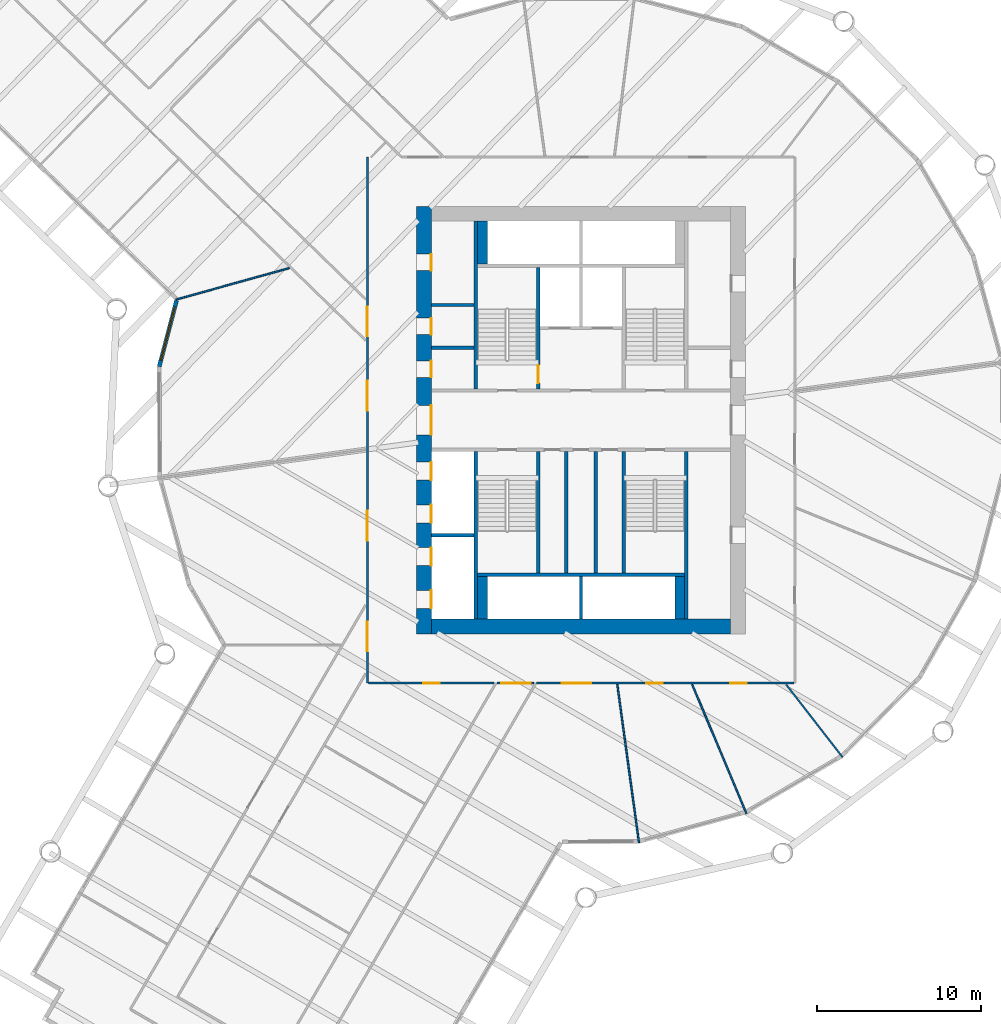
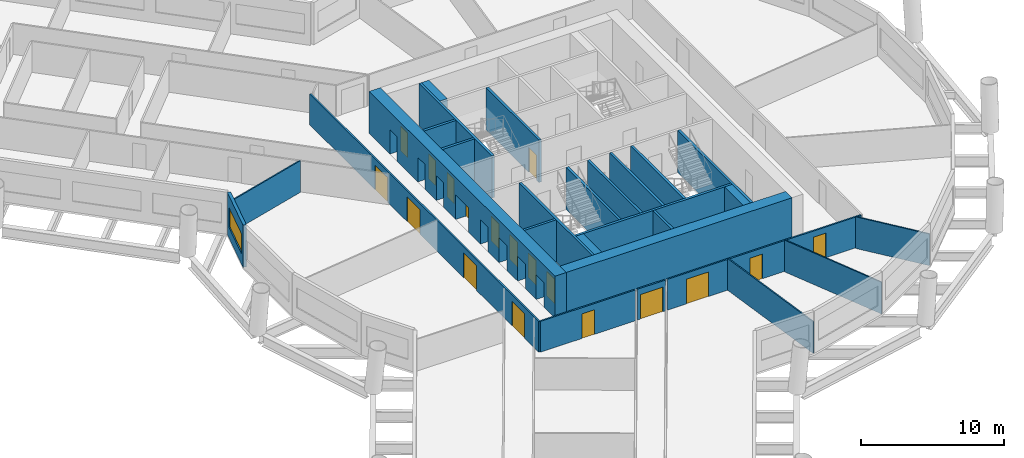
# One storey, part 4 of 12: 27 walls, 18 doors, 1 window, 19 openings.
"""IFC4 building model written with IfcOpenShell, lengths in metres."""

import ifcopenshell
import ifcopenshell.guid

model = None  # the IFC model being written
_history = None  # IfcOwnerHistory: only IFC2X3 demands one
_inside = {}  # id of a spatial element -> (the spatial element, [elements in it])
_under = {}  # id of a project, library or spatial element -> (it, [spatial elements below it])
_declared = {}  # id of a project -> (the project, [libraries it declares])
_typed = {}  # id of a type object -> (the type object, [elements of that type])
_made_of = {}  # id of a material, layer set ... -> (it, [elements and type objects made of it])


def new_model(schema):
    """Start an empty IFC model of exactly this schema.

    Asked for "IFC4X3", IfcOpenShell would pick the latest addendum, in which some entities
    have other attributes; the version numbers below select the first issue.
    IFC2X3 requires an IfcOwnerHistory on every rooted entity: one is made here for all.
    """
    global model, _history
    if schema == "IFC4X3":
        model = ifcopenshell.file(schema_version=(4, 3, 0, 0))
    else:
        model = ifcopenshell.file(schema=schema)
    _inside.clear()
    _under.clear()
    _declared.clear()
    _typed.clear()
    _made_of.clear()
    _history = None
    if model.schema == "IFC2X3":
        org = make("IfcOrganization", Name="unknown")
        user = make(
            "IfcPersonAndOrganization",
            ThePerson=make("IfcPerson", FamilyName="unknown"),
            TheOrganization=org,
        )
        app = make(
            "IfcApplication",
            ApplicationDeveloper=org,
            Version="unknown",
            ApplicationFullName="unknown",
            ApplicationIdentifier="unknown",
        )
        _history = make(
            "IfcOwnerHistory",
            OwningUser=user,
            OwningApplication=app,
            ChangeAction="ADDED",
            CreationDate=0,
        )
    return model


def make(cls, **values):
    """One entity of the class cls with the attributes given. An attribute that is None is left unset."""
    return model.create_entity(
        cls, **{name: value for name, value in values.items() if value is not None}
    )


def rooted(cls, **values):
    """An entity with a GlobalId (a new one), such as an element, a storey or a relation."""
    return make(cls, GlobalId=ifcopenshell.guid.new(), OwnerHistory=_history, **values)


def si_unit(unit_type, name, prefix=None):
    """IfcSIUnit, for example si_unit("LENGTHUNIT", "METRE", prefix="MILLI")."""
    return make("IfcSIUnit", UnitType=unit_type, Prefix=prefix, Name=name)


def assignment(units):
    """IfcUnitAssignment: the units of a project."""
    return None if units is None else make("IfcUnitAssignment", Units=units)


def point(xyz):
    """IfcCartesianPoint."""
    return None if xyz is None else make("IfcCartesianPoint", Coordinates=xyz)


def direction(xyz):
    """IfcDirection."""
    return None if xyz is None else make("IfcDirection", DirectionRatios=xyz)


def frame(location, z_axis=None, x_axis=None):
    """IfcAxis2Placement3D, a coordinate frame: its origin and axes. An axis left out is left unset."""
    return make(
        "IfcAxis2Placement3D",
        Location=point(location),
        Axis=direction(z_axis),
        RefDirection=direction(x_axis),
    )


def frame_2d(location, x_axis=None):
    """IfcAxis2Placement2D, a coordinate frame in the plane: its origin and x axis."""
    return make(
        "IfcAxis2Placement2D", Location=point(location), RefDirection=direction(x_axis)
    )


def origin():
    """The frame at (0, 0, 0) with its axes left unset."""
    return frame((0.0, 0.0, 0.0))


def place(relative_to, where):
    """IfcLocalPlacement: puts the frame where relative to a parent placement (None: the world)."""
    return make(
        "IfcLocalPlacement", PlacementRelTo=relative_to, RelativePlacement=where
    )


def context(
    kind, dimensions, precision=None, world=None, true_north=None, identifier=None
):
    """IfcGeometricRepresentationContext, for example the 3D "Model" context."""
    return make(
        "IfcGeometricRepresentationContext",
        ContextIdentifier=identifier,
        ContextType=kind,
        CoordinateSpaceDimension=dimensions,
        Precision=precision,
        WorldCoordinateSystem=world,
        TrueNorth=true_north,
    )


def subcontext(parent, identifier, kind, view, scale=None):
    """IfcGeometricRepresentationSubContext, for example "Body" below "Model"."""
    return make(
        "IfcGeometricRepresentationSubContext",
        ContextIdentifier=identifier,
        ContextType=kind,
        ParentContext=parent,
        TargetScale=scale,
        TargetView=view,
    )


def project(units=None, contexts=None):
    """IfcProject with its units and contexts."""
    return rooted(
        "IfcProject",
        Name="project",
        RepresentationContexts=contexts,
        UnitsInContext=assignment(units),
    )


def spatial(cls, under=None, at=None, **own):
    """A site, building, storey or space (cls), placed at a placement, below another one or the project."""
    s = rooted(cls, ObjectPlacement=at, **own)
    if under is not None:
        _under.setdefault(under.id(), (under, []))[1].append(s)
    return s


def profile(cls, at=None, kind="AREA", **sizes):
    """A parametric profile (cls). Its sizes go by their IFC names, for example OverallWidth=200.0."""
    return make(cls, ProfileType=kind, Position=at, **sizes)


def rectangle(**sizes):
    """IfcRectangleProfileDef."""
    return profile("IfcRectangleProfileDef", **sizes)


def extrude(swept, where, along, depth):
    """IfcExtrudedAreaSolid: the profile swept, set in the frame where, extruded along a direction by depth."""
    return make(
        "IfcExtrudedAreaSolid",
        SweptArea=swept,
        Position=where,
        ExtrudedDirection=direction(along),
        Depth=depth,
    )


def shape(context_of_items, identifier, shape_type, items):
    """IfcShapeRepresentation: the items that make up one representation, for example the "Body"."""
    return make(
        "IfcShapeRepresentation",
        ContextOfItems=context_of_items,
        RepresentationIdentifier=identifier,
        RepresentationType=shape_type,
        Items=items,
    )


def material(Name=None, Category=None):
    """IfcMaterial."""
    return make("IfcMaterial", Name=Name, Category=Category)


def layer(
    of_material, thickness, ventilated=None, Name=None, Category=None, Priority=None
):
    """IfcMaterialLayer: one layer of a wall or slab, of a material (None: an air gap)."""
    return make(
        "IfcMaterialLayer",
        Material=of_material,
        LayerThickness=thickness,
        IsVentilated=ventilated,
        Name=Name,
        Category=Category,
        Priority=Priority,
    )


def layer_set(layers, Name=None):
    """IfcMaterialLayerSet."""
    return make("IfcMaterialLayerSet", MaterialLayers=layers, LayerSetName=Name)


def made_of(thing, what):
    """Note that an element or type object is made of a material, layer set ...; save() writes the relation."""
    if what is not None:
        _made_of.setdefault(what.id(), (what, []))[1].append(thing)
    return thing


def type_object(cls, material=None, **own):
    """A type object (cls), such as IfcWallType, which elements share."""
    return made_of(rooted(cls, **own), material)


def element(
    cls,
    number,
    at=None,
    inside=None,
    cuts=None,
    type_object=None,
    material=None,
    context=None,
    identifier="Body",
    shape_type=None,
    held_by="IfcProductDefinitionShape",
    body=None,
    shapes=None,
    **own,
):
    """One element of the class cls, such as IfcWall. Its Tag is "e" and its number.

    at: its placement. inside: the storey or other place that contains it. cuts: it is an
    opening in that element (IfcRelVoidsElement). A single representation is given by context,
    identifier, shape_type and body (its items); several are given by shapes. held_by: the class
    of the entity that holds the representations. save() writes the other relations.
    """
    e = rooted(cls, Tag="e%d" % number, ObjectPlacement=at, **own)
    if body is not None:
        shapes = [shape(context, identifier, shape_type, body)]
    if shapes is not None:
        e.Representation = make(held_by, Representations=shapes)
    if inside is not None:
        _inside.setdefault(inside.id(), (inside, []))[1].append(e)
    if cuts is not None:
        rooted(
            "IfcRelVoidsElement", RelatingBuildingElement=cuts, RelatedOpeningElement=e
        )
    if type_object is not None:
        _typed.setdefault(type_object.id(), (type_object, []))[1].append(e)
    return made_of(e, material)


def fill(opening, filler):
    """IfcRelFillsElement: the door or window that sits in an opening."""
    return rooted(
        "IfcRelFillsElement",
        RelatingOpeningElement=opening,
        RelatedBuildingElement=filler,
    )


def aggregate(whole, parts):
    """IfcRelAggregates: a whole, such as a stair, and the parts it consists of."""
    return rooted("IfcRelAggregates", RelatingObject=whole, RelatedObjects=parts)


def save(model, path):
    """Write the relations noted so far, then the file.

    IfcRelAggregates (storeys below a building ...), IfcRelContainedInSpatialStructure (elements
    in a storey), IfcRelDefinesByType, IfcRelAssociatesMaterial and IfcRelDeclares: one each for
    every whole, place, type object, material and project.
    """
    for whole, parts in _under.values():
        aggregate(whole, parts)
    for where, things in _inside.values():
        rooted(
            "IfcRelContainedInSpatialStructure",
            RelatedElements=things,
            RelatingStructure=where,
        )
    for kind, things in _typed.values():
        rooted("IfcRelDefinesByType", RelatedObjects=things, RelatingType=kind)
    for what, things in _made_of.values():
        rooted("IfcRelAssociatesMaterial", RelatedObjects=things, RelatingMaterial=what)
    for by, libraries in _declared.values():
        rooted("IfcRelDeclares", RelatingContext=by, RelatedDefinitions=libraries)
    model.write(path)


model = new_model("IFC4")

# Units and contexts
model_context = context("Model", 3, precision=1e-05, world=origin(), true_north=direction((0.0, 1.0)))
body_context = subcontext(model_context, "Body", "Model", "MODEL_VIEW")
ifc_project = project(units=[si_unit("LENGTHUNIT", "METRE"), si_unit("AREAUNIT", "SQUARE_METRE"), si_unit("VOLUMEUNIT", "CUBIC_METRE"), si_unit("PLANEANGLEUNIT", "RADIAN"), si_unit("MASSUNIT", "GRAM", prefix="KILO")], contexts=[model_context])

# Site, building, storey
site_placement = place(None, origin())
site = spatial("IfcSite", under=ifc_project, at=site_placement, CompositionType="ELEMENT")
building_placement = place(site_placement, origin())
building = spatial("IfcBuilding", under=site, at=building_placement, Name="Tarsis Ring Headquarters", CompositionType="ELEMENT")
storey_placement = place(building_placement, frame((0.0, 0.0, 82.89990234375)))
storey = spatial("IfcBuildingStorey", under=building, at=storey_placement, Name="L18", CompositionType="ELEMENT", Elevation=82.89990234375)

# Walls
ifc_material_1 = material(Name="Blockwork", Category="masonry")
ifc_layer_1 = layer(ifc_material_1, 0.199951171875)
ifc_layer_set_1 = layer_set([ifc_layer_1], Name="Core blockwork wall 200")
wall_type_1 = type_object("IfcWallType", Name="Core blockwork wall 200", PredefinedType="PARTITIONING", material=ifc_layer_set_1)
for number, where, z_axis, x_axis, name in (
    (1, (-9.10009765625, 4.39990234375, 0.0), (0.0, 0.0, 1.0), (1.0, 0.0, 0.0), "Core partition WD5"),
    (2, (-9.10009765625, 7.0, 0.0), (0.0, 0.0, 1.0), (1.0, 0.0, 0.0), "Core partition WD6"),
):
    element("IfcWall", number, at=place(storey_placement, frame(where, z_axis=z_axis, x_axis=x_axis)), inside=storey, type_object=wall_type_1, Name=name, PredefinedType="PARTITIONING", context=body_context, shape_type="SweptSolid", body=[
        extrude(rectangle(XDim=2.60009765625, YDim=0.199951171875, at=frame_2d((1.300048828125, 0.0))), origin(), (0.0, 0.0, 1.0), 3.60009765625),
    ])
for number, where, z_axis, x_axis, name in (
    (3, (-0.89990234375, -9.300048828125, 0.0), (0.0, 0.0, 1.0), (0.0, 1.0, 0.0), "Core partition SV1"),
    (4, (0.89990234375, -9.300048828125, 0.0), (0.0, 0.0, 1.0), (0.0, 1.0, 0.0), "Core partition SV2"),
):
    element("IfcWall", number, at=place(storey_placement, frame(where, z_axis=z_axis, x_axis=x_axis)), inside=storey, type_object=wall_type_1, Name=name, PredefinedType="PARTITIONING", context=body_context, shape_type="SweptSolid", body=[
        extrude(rectangle(XDim=7.400146484375, YDim=0.199951171875, at=frame_2d((3.7001953125, 0.0))), origin(), (0.0, 0.0, 1.0), 3.60009765625),
    ])

# Wall, openings, doors
ifc_material_2 = material(Name="Concrete C60/75", Category="concrete")
ifc_layer_2 = layer(ifc_material_2, 0.89990234375)
ifc_layer_set_2 = layer_set([ifc_layer_2], Name="Core wall 900 C60/75")
wall_type_2 = type_object("IfcWallType", Name="Core wall 900 C60/75", PredefinedType="SHEAR", material=ifc_layer_set_2)
wall_1_placement = place(storey_placement, frame((-9.550048828125, -13.0, 0.0), z_axis=(0.0, 0.0, 1.0), x_axis=(0.0, 1.0, 0.0)))
wall_1 = element("IfcWall", 5, at=wall_1_placement, inside=storey, type_object=wall_type_2, Name="Core wall OW", PredefinedType="SHEAR", context=body_context, shape_type="SweptSolid", body=[
    extrude(rectangle(XDim=26.0, YDim=0.89990234375, at=frame_2d((13.0, 0.0))), origin(), (0.0, 0.0, 1.0), 3.60009765625),
])
opening_1_placement = place(wall_1_placement, frame((1.550048828125, 0.0, 0.0)))
opening_1 = element("IfcOpeningElement", 6, at=opening_1_placement, cuts=wall_1, Name="Opening LD-LR1", PredefinedType="OPENING", context=body_context, shape_type="SweptSolid", body=[
    extrude(rectangle(XDim=1.10009765625, YDim=2.10009765625, at=frame_2d((0.550048828125, 1.050048828125))), frame((0.0, 0.4599609375, 0.0), z_axis=(0.0, -1.0, 0.0), x_axis=(1.0, 0.0, 0.0)), (0.0, 0.0, 1.0), 0.919921875),
])
opening_2_placement = place(wall_1_placement, frame((4.14990234375, 0.0, 0.0)))
opening_2 = element("IfcOpeningElement", 7, at=opening_2_placement, cuts=wall_1, Name="Opening LD-LR2", PredefinedType="OPENING", context=body_context, shape_type="SweptSolid", body=[
    extrude(rectangle(XDim=1.10009765625, YDim=2.10009765625, at=frame_2d((0.550048828125, 1.050048828125))), frame((0.0, 0.4599609375, 0.0), z_axis=(0.0, -1.0, 0.0), x_axis=(1.0, 0.0, 0.0)), (0.0, 0.0, 1.0), 0.919921875),
])
opening_3_placement = place(wall_1_placement, frame((6.75, 0.0, 0.0)))
opening_3 = element("IfcOpeningElement", 8, at=opening_3_placement, cuts=wall_1, Name="Opening LD-LR3", PredefinedType="OPENING", context=body_context, shape_type="SweptSolid", body=[
    extrude(rectangle(XDim=1.10009765625, YDim=2.10009765625, at=frame_2d((0.550048828125, 1.050048828125))), frame((0.0, 0.4599609375, 0.0), z_axis=(0.0, -1.0, 0.0), x_axis=(1.0, 0.0, 0.0)), (0.0, 0.0, 1.0), 0.919921875),
])
opening_4_placement = place(wall_1_placement, frame((9.35009765625, 0.0, 0.0)))
opening_4 = element("IfcOpeningElement", 9, at=opening_4_placement, cuts=wall_1, Name="Opening LD-LR4", PredefinedType="OPENING", context=body_context, shape_type="SweptSolid", body=[
    extrude(rectangle(XDim=1.10009765625, YDim=2.10009765625, at=frame_2d((0.550048828125, 1.050048828125))), frame((0.0, 0.4599609375, 0.0), z_axis=(0.0, -1.0, 0.0), x_axis=(1.0, 0.0, 0.0)), (0.0, 0.0, 1.0), 0.919921875),
])
opening_5_placement = place(wall_1_placement, frame((12.10009765625, 0.0, 0.0)))
opening_5 = element("IfcOpeningElement", 10, at=opening_5_placement, cuts=wall_1, Name="Opening L18-C05", PredefinedType="OPENING", context=body_context, shape_type="SweptSolid", body=[
    extrude(rectangle(XDim=1.800048828125, YDim=2.10009765625, at=frame_2d((0.89990234375, 1.050048828125))), frame((0.0, 0.4599609375, 0.0), z_axis=(0.0, -1.0, 0.0), x_axis=(1.0, 0.0, 0.0)), (0.0, 0.0, 1.0), 0.919921875),
])
opening_6_placement = place(wall_1_placement, frame((15.60009765625, 0.0, 0.0)))
opening_6 = element("IfcOpeningElement", 11, at=opening_6_placement, cuts=wall_1, Name="Opening L18-C06", PredefinedType="OPENING", context=body_context, shape_type="SweptSolid", body=[
    extrude(rectangle(XDim=1.0, YDim=2.10009765625, at=frame_2d((0.5, 1.050048828125))), frame((0.0, 0.4599609375, 0.0), z_axis=(0.0, -1.0, 0.0), x_axis=(1.0, 0.0, 0.0)), (0.0, 0.0, 1.0), 0.919921875),
])
opening_7_placement = place(wall_1_placement, frame((18.199951171875, 0.0, 0.0)))
opening_7 = element("IfcOpeningElement", 12, at=opening_7_placement, cuts=wall_1, Name="Opening L18-C07", PredefinedType="OPENING", context=body_context, shape_type="SweptSolid", body=[
    extrude(rectangle(XDim=1.0, YDim=2.10009765625, at=frame_2d((0.5, 1.050048828125))), frame((0.0, 0.4599609375, 0.0), z_axis=(0.0, -1.0, 0.0), x_axis=(1.0, 0.0, 0.0)), (0.0, 0.0, 1.0), 0.919921875),
])
opening_8_placement = place(wall_1_placement, frame((22.10009765625, 0.0, 0.0)))
opening_8 = element("IfcOpeningElement", 13, at=opening_8_placement, cuts=wall_1, Name="Opening L18-C08", PredefinedType="OPENING", context=body_context, shape_type="SweptSolid", body=[
    extrude(rectangle(XDim=1.0, YDim=2.10009765625, at=frame_2d((0.5, 1.050048828125))), frame((0.0, 0.4599609375, 0.0), z_axis=(0.0, -1.0, 0.0), x_axis=(1.0, 0.0, 0.0)), (0.0, 0.0, 1.0), 0.919921875),
])
ifc_material_3 = material(Name="Steel S355", Category="steel")
door_type_1 = type_object("IfcDoorType", Name="Core entry door 1800x2100", OperationType="DOUBLE_DOOR_SINGLE_SWING", PredefinedType="DOOR", material=ifc_material_3)
door_1_placement = place(opening_5_placement, origin())
door_1 = element("IfcDoor", 14, at=door_1_placement, inside=storey, type_object=door_type_1, Name="Core entry door L18", OperationType="DOUBLE_DOOR_SINGLE_SWING", OverallHeight=2.10009765625, OverallWidth=1.800048828125, PredefinedType="DOOR", context=body_context, shape_type="SweptSolid", body=[
    extrude(rectangle(XDim=1.800048828125, YDim=2.10009765625, at=frame_2d((0.89990234375, 1.050048828125))), frame((0.0, -0.39990234375, 0.0), z_axis=(0.0, -1.0, 0.0), x_axis=(1.0, 0.0, 0.0)), (0.0, 0.0, 1.0), 0.050048828125),
])
fill(opening_5, door_1)
door_type_2 = type_object("IfcDoorType", Name="Core room door 1000x2100", OperationType="SINGLE_SWING_LEFT", PredefinedType="DOOR", material=ifc_material_3)
door_2_placement = place(opening_6_placement, origin())
door_2 = element("IfcDoor", 15, at=door_2_placement, inside=storey, type_object=door_type_2, Name="Core room door L18", OperationType="SINGLE_SWING_LEFT", OverallHeight=2.10009765625, OverallWidth=1.0, PredefinedType="DOOR", context=body_context, shape_type="SweptSolid", body=[
    extrude(rectangle(XDim=1.0, YDim=2.10009765625, at=frame_2d((0.5, 1.050048828125))), frame((0.0, -0.39990234375, 0.0), z_axis=(0.0, -1.0, 0.0), x_axis=(1.0, 0.0, 0.0)), (0.0, 0.0, 1.0), 0.050048828125),
])
fill(opening_6, door_2)
door_3_placement = place(opening_7_placement, origin())
door_3 = element("IfcDoor", 16, at=door_3_placement, inside=storey, type_object=door_type_2, Name="Core room door L18", OperationType="SINGLE_SWING_LEFT", OverallHeight=2.10009765625, OverallWidth=1.0, PredefinedType="DOOR", context=body_context, shape_type="SweptSolid", body=[
    extrude(rectangle(XDim=1.0, YDim=2.10009765625, at=frame_2d((0.5, 1.050048828125))), frame((0.0, -0.39990234375, 0.0), z_axis=(0.0, -1.0, 0.0), x_axis=(1.0, 0.0, 0.0)), (0.0, 0.0, 1.0), 0.050048828125),
])
fill(opening_7, door_3)
door_4_placement = place(opening_8_placement, origin())
door_4 = element("IfcDoor", 17, at=door_4_placement, inside=storey, type_object=door_type_2, Name="Core room door L18", OperationType="SINGLE_SWING_LEFT", OverallHeight=2.10009765625, OverallWidth=1.0, PredefinedType="DOOR", context=body_context, shape_type="SweptSolid", body=[
    extrude(rectangle(XDim=1.0, YDim=2.10009765625, at=frame_2d((0.5, 1.050048828125))), frame((0.0, -0.39990234375, 0.0), z_axis=(0.0, -1.0, 0.0), x_axis=(1.0, 0.0, 0.0)), (0.0, 0.0, 1.0), 0.050048828125),
])
fill(opening_8, door_4)
door_type_3 = type_object("IfcDoorType", Name="Landing door 1100x2100", OperationType="SLIDING_TO_LEFT", PredefinedType="DOOR", material=ifc_material_3)
door_5_placement = place(opening_1_placement, origin())
door_5 = element("IfcDoor", 18, at=door_5_placement, inside=storey, type_object=door_type_3, Name="Landing door LR1 L18", OperationType="SLIDING_TO_LEFT", OverallHeight=2.10009765625, OverallWidth=1.10009765625, PredefinedType="DOOR", context=body_context, shape_type="SweptSolid", body=[
    extrude(rectangle(XDim=1.10009765625, YDim=2.10009765625, at=frame_2d((0.550048828125, 1.050048828125))), frame((0.0, -0.39990234375, 0.0), z_axis=(0.0, -1.0, 0.0), x_axis=(1.0, 0.0, 0.0)), (0.0, 0.0, 1.0), 0.050048828125),
])
fill(opening_1, door_5)
door_6_placement = place(opening_2_placement, origin())
door_6 = element("IfcDoor", 19, at=door_6_placement, inside=storey, type_object=door_type_3, Name="Landing door LR2 L18", OperationType="SLIDING_TO_LEFT", OverallHeight=2.10009765625, OverallWidth=1.10009765625, PredefinedType="DOOR", context=body_context, shape_type="SweptSolid", body=[
    extrude(rectangle(XDim=1.10009765625, YDim=2.10009765625, at=frame_2d((0.550048828125, 1.050048828125))), frame((0.0, -0.39990234375, 0.0), z_axis=(0.0, -1.0, 0.0), x_axis=(1.0, 0.0, 0.0)), (0.0, 0.0, 1.0), 0.050048828125),
])
fill(opening_2, door_6)
door_7_placement = place(opening_3_placement, origin())
door_7 = element("IfcDoor", 20, at=door_7_placement, inside=storey, type_object=door_type_3, Name="Landing door LR3 L18", OperationType="SLIDING_TO_LEFT", OverallHeight=2.10009765625, OverallWidth=1.10009765625, PredefinedType="DOOR", context=body_context, shape_type="SweptSolid", body=[
    extrude(rectangle(XDim=1.10009765625, YDim=2.10009765625, at=frame_2d((0.550048828125, 1.050048828125))), frame((0.0, -0.39990234375, 0.0), z_axis=(0.0, -1.0, 0.0), x_axis=(1.0, 0.0, 0.0)), (0.0, 0.0, 1.0), 0.050048828125),
])
fill(opening_3, door_7)
door_8_placement = place(opening_4_placement, origin())
door_8 = element("IfcDoor", 21, at=door_8_placement, inside=storey, type_object=door_type_3, Name="Landing door LR4 L18", OperationType="SLIDING_TO_LEFT", OverallHeight=2.10009765625, OverallWidth=1.10009765625, PredefinedType="DOOR", context=body_context, shape_type="SweptSolid", body=[
    extrude(rectangle(XDim=1.10009765625, YDim=2.10009765625, at=frame_2d((0.550048828125, 1.050048828125))), frame((0.0, -0.39990234375, 0.0), z_axis=(0.0, -1.0, 0.0), x_axis=(1.0, 0.0, 0.0)), (0.0, 0.0, 1.0), 0.050048828125),
])
fill(opening_4, door_8)

# Walls
wall_2_placement = place(storey_placement, frame((-9.10009765625, -12.550048828125, 0.0), z_axis=(0.0, 0.0, 1.0), x_axis=(1.0, 0.0, 0.0)))
element("IfcWall", 22, at=wall_2_placement, inside=storey, type_object=wall_type_2, Name="Core wall OS", PredefinedType="SHEAR", context=body_context, shape_type="SweptSolid", body=[
    extrude(rectangle(XDim=18.2001953125, YDim=0.89990234375, at=frame_2d((9.10009765625, 0.0))), origin(), (0.0, 0.0, 1.0), 3.60009765625),
])
ifc_material_4 = material(Name="Gypsum board on steel studs", Category="steel")
ifc_layer_3 = layer(ifc_material_4, 0.10009765625)
ifc_layer_set_3 = layer_set([ifc_layer_3], Name="FL partition 100 unrated")
wall_type_3 = type_object("IfcWallType", Name="FL partition 100 unrated", PredefinedType="PARTITIONING", material=ifc_layer_set_3)
wall_3_placement = place(storey_placement, frame((2.201171875, -16.0693359375, 0.0), z_axis=(0.0, 0.0, 1.0), x_axis=(0.135716796635, -0.990747672776, 0.0)))
element("IfcWall", 23, at=wall_3_placement, inside=storey, type_object=wall_type_3, Name="Partition PW3", PredefinedType="PARTITIONING", context=body_context, shape_type="SweptSolid", body=[
    extrude(rectangle(XDim=9.728515625, YDim=0.10009765625, at=frame_2d((4.8642578125, 0.0))), origin(), (0.0, 0.0, 1.0), 2.7001953125),
])
wall_4_placement = place(storey_placement, frame((6.7568359375, -16.07373046875, 0.0), z_axis=(0.0, 0.0, 1.0), x_axis=(0.387505544657, -0.921867372706, 0.0)))
element("IfcWall", 24, at=wall_4_placement, inside=storey, type_object=wall_type_3, Name="Partition PW3", PredefinedType="PARTITIONING", context=body_context, shape_type="SweptSolid", body=[
    extrude(rectangle(XDim=8.51171875, YDim=0.10009765625, at=frame_2d((4.255859375, 0.0))), origin(), (0.0, 0.0, 1.0), 2.7001953125),
])
wall_5_placement = place(storey_placement, frame((-24.644287109375, 7.331787109375, 0.0), z_axis=(0.0, 0.0, 1.0), x_axis=(0.963397639944, 0.268076458032, 0.0)))
element("IfcWall", 25, at=wall_5_placement, inside=storey, type_object=wall_type_3, Name="Partition PW3", PredefinedType="PARTITIONING", context=body_context, shape_type="SweptSolid", body=[
    extrude(rectangle(XDim=7.159912109375, YDim=0.10009765625, at=frame_2d((3.580078125, 0.0))), origin(), (0.0, 0.0, 1.0), 2.7001953125),
])
wall_6_placement = place(storey_placement, frame((12.478271484375, -16.0869140625, 0.0), z_axis=(0.0, 0.0, 1.0), x_axis=(0.612914818411, -0.790148989351, 0.0)))
element("IfcWall", 26, at=wall_6_placement, inside=storey, type_object=wall_type_3, Name="Partition PW3", PredefinedType="PARTITIONING", context=body_context, shape_type="SweptSolid", body=[
    extrude(rectangle(XDim=5.588623046875, YDim=0.10009765625, at=frame_2d((2.79443359375, 0.0))), origin(), (0.0, 0.0, 1.0), 2.7001953125),
])

# Wall, openings, doors
ifc_layer_4 = layer(ifc_material_4, 0.125)
ifc_layer_set_4 = layer_set([ifc_layer_4], Name="FL partition 125 EI 60 H2630")
wall_type_4 = type_object("IfcWallType", Name="FL partition 125 EI 60 H2630", PredefinedType="PARTITIONING", material=ifc_layer_set_4)
wall_7_placement = place(storey_placement, frame((-13.0, -16.0, 0.0), z_axis=(0.0, 0.0, 1.0), x_axis=(0.0, 1.0, 0.0)))
wall_7 = element("IfcWall", 27, at=wall_7_placement, inside=storey, type_object=wall_type_4, Name="Partition PW1H263", PredefinedType="PARTITIONING", context=body_context, shape_type="SweptSolid", body=[
    extrude(rectangle(XDim=31.9990234375, YDim=0.125, at=frame_2d((15.99951171875, 0.0))), origin(), (0.0, 0.0, 1.0), 2.630126953125),
])
opening_9_placement = place(wall_7_placement, frame((8.677490234375, 0.0, 0.0)))
opening_9 = element("IfcOpeningElement", 28, at=opening_9_placement, cuts=wall_7, Name="Opening D18.17", PredefinedType="OPENING", context=body_context, shape_type="SweptSolid", body=[
    extrude(rectangle(XDim=1.800048828125, YDim=2.10009765625, at=frame_2d((0.89990234375, 1.050048828125))), frame((0.0, 0.072509765625, 0.0), z_axis=(0.0, -1.0, 0.0), x_axis=(1.0, 0.0, 0.0)), (0.0, 0.0, 1.0), 0.14501953125),
])
opening_10_placement = place(wall_7_placement, frame((16.5830078125, 0.0, 0.0)))
opening_10 = element("IfcOpeningElement", 29, at=opening_10_placement, cuts=wall_7, Name="Opening D18.18", PredefinedType="OPENING", context=body_context, shape_type="SweptSolid", body=[
    extrude(rectangle(XDim=1.800048828125, YDim=2.10009765625, at=frame_2d((0.89990234375, 1.050048828125))), frame((0.0, 0.072509765625, 0.0), z_axis=(0.0, -1.0, 0.0), x_axis=(1.0, 0.0, 0.0)), (0.0, 0.0, 1.0), 0.14501953125),
])
opening_11_placement = place(wall_7_placement, frame((1.9482421875, 0.0, 0.0)))
opening_11 = element("IfcOpeningElement", 30, at=opening_11_placement, cuts=wall_7, Name="Opening D18.26", PredefinedType="OPENING", context=body_context, shape_type="SweptSolid", body=[
    extrude(rectangle(XDim=1.800048828125, YDim=2.10009765625, at=frame_2d((0.89990234375, 1.050048828125))), frame((0.0, 0.072509765625, 0.0), z_axis=(0.0, -1.0, 0.0), x_axis=(1.0, 0.0, 0.0)), (0.0, 0.0, 1.0), 0.14501953125),
])
opening_12_placement = place(wall_7_placement, frame((21.102294921875, 0.0, 0.0)))
opening_12 = element("IfcOpeningElement", 31, at=opening_12_placement, cuts=wall_7, Name="Opening D18.28", PredefinedType="OPENING", context=body_context, shape_type="SweptSolid", body=[
    extrude(rectangle(XDim=1.800048828125, YDim=2.10009765625, at=frame_2d((0.89990234375, 1.050048828125))), frame((0.0, 0.072509765625, 0.0), z_axis=(0.0, -1.0, 0.0), x_axis=(1.0, 0.0, 0.0)), (0.0, 0.0, 1.0), 0.14501953125),
])
ifc_material_5 = material(Name="Fire-rated timber door leaf in steel frame", Category="steel")
door_type_4 = type_object("IfcDoorType", Name="FL door FD60-1800", OperationType="DOUBLE_DOOR_SINGLE_SWING", PredefinedType="DOOR", material=ifc_material_5)
door_9_placement = place(opening_9_placement, origin())
door_9 = element("IfcDoor", 32, at=door_9_placement, inside=storey, type_object=door_type_4, Name="Door D18.17", OperationType="DOUBLE_DOOR_SINGLE_SWING", OverallHeight=2.10009765625, OverallWidth=1.800048828125, PredefinedType="DOOR", context=body_context, shape_type="SweptSolid", body=[
    extrude(rectangle(XDim=1.800048828125, YDim=2.10009765625, at=frame_2d((0.89990234375, 1.050048828125))), frame((0.0, 0.02490234375, 0.0), z_axis=(0.0, -1.0, 0.0), x_axis=(1.0, 0.0, 0.0)), (0.0, 0.0, 1.0), 0.050048828125),
])
fill(opening_9, door_9)
door_10_placement = place(opening_10_placement, origin())
door_10 = element("IfcDoor", 33, at=door_10_placement, inside=storey, type_object=door_type_4, Name="Door D18.18", OperationType="DOUBLE_DOOR_SINGLE_SWING", OverallHeight=2.10009765625, OverallWidth=1.800048828125, PredefinedType="DOOR", context=body_context, shape_type="SweptSolid", body=[
    extrude(rectangle(XDim=1.800048828125, YDim=2.10009765625, at=frame_2d((0.89990234375, 1.050048828125))), frame((0.0, 0.02490234375, 0.0), z_axis=(0.0, -1.0, 0.0), x_axis=(1.0, 0.0, 0.0)), (0.0, 0.0, 1.0), 0.050048828125),
])
fill(opening_10, door_10)
door_11_placement = place(opening_11_placement, origin())
door_11 = element("IfcDoor", 34, at=door_11_placement, inside=storey, type_object=door_type_4, Name="Door D18.26", OperationType="DOUBLE_DOOR_SINGLE_SWING", OverallHeight=2.10009765625, OverallWidth=1.800048828125, PredefinedType="DOOR", context=body_context, shape_type="SweptSolid", body=[
    extrude(rectangle(XDim=1.800048828125, YDim=2.10009765625, at=frame_2d((0.89990234375, 1.050048828125))), frame((0.0, 0.02490234375, 0.0), z_axis=(0.0, -1.0, 0.0), x_axis=(1.0, 0.0, 0.0)), (0.0, 0.0, 1.0), 0.050048828125),
])
fill(opening_11, door_11)
door_12_placement = place(opening_12_placement, origin())
door_12 = element("IfcDoor", 35, at=door_12_placement, inside=storey, type_object=door_type_4, Name="Door D18.28", OperationType="DOUBLE_DOOR_SINGLE_SWING", OverallHeight=2.10009765625, OverallWidth=1.800048828125, PredefinedType="DOOR", context=body_context, shape_type="SweptSolid", body=[
    extrude(rectangle(XDim=1.800048828125, YDim=2.10009765625, at=frame_2d((0.89990234375, 1.050048828125))), frame((0.0, 0.02490234375, 0.0), z_axis=(0.0, -1.0, 0.0), x_axis=(1.0, 0.0, 0.0)), (0.0, 0.0, 1.0), 0.050048828125),
])
fill(opening_12, door_12)

# Wall, opening, door
wall_8_placement = place(storey_placement, frame((-12.93994140625, -16.0, 0.0), z_axis=(0.0, 0.0, 1.0), x_axis=(1.0, 0.0, 0.0)))
wall_8 = element("IfcWall", 36, at=wall_8_placement, inside=storey, type_object=wall_type_4, Name="Partition PW1H263", PredefinedType="PARTITIONING", context=body_context, shape_type="SweptSolid", body=[
    extrude(rectangle(XDim=7.649658203125, YDim=0.125, at=frame_2d((3.82470703125, 0.0))), origin(), (0.0, 0.0, 1.0), 2.630126953125),
])
opening_13_placement = place(wall_8_placement, frame((3.34912109375, 0.0, 0.0)))
opening_13 = element("IfcOpeningElement", 37, at=opening_13_placement, cuts=wall_8, Name="Opening D18.22", PredefinedType="OPENING", context=body_context, shape_type="SweptSolid", body=[
    extrude(rectangle(XDim=1.0, YDim=2.10009765625, at=frame_2d((0.5, 1.050048828125))), frame((0.0, 0.072509765625, 0.0), z_axis=(0.0, -1.0, 0.0), x_axis=(1.0, 0.0, 0.0)), (0.0, 0.0, 1.0), 0.14501953125),
])
door_type_5 = type_object("IfcDoorType", Name="FL door FD60-1000", OperationType="NOTDEFINED", PredefinedType="DOOR", material=ifc_material_5)
door_13_placement = place(opening_13_placement, origin())
door_13 = element("IfcDoor", 38, at=door_13_placement, inside=storey, type_object=door_type_5, Name="Door D18.22", OperationType="SINGLE_SWING_RIGHT", OverallHeight=2.10009765625, OverallWidth=1.0, PredefinedType="DOOR", context=body_context, shape_type="SweptSolid", body=[
    extrude(rectangle(XDim=1.0, YDim=2.10009765625, at=frame_2d((0.5, 1.050048828125))), frame((0.0, 0.02490234375, 0.0), z_axis=(0.0, -1.0, 0.0), x_axis=(1.0, 0.0, 0.0)), (0.0, 0.0, 1.0), 0.050048828125),
])
fill(opening_13, door_13)

wall_9_placement = place(storey_placement, frame((-5.127685546875, -16.0, 0.0), z_axis=(0.0, 0.0, 1.0), x_axis=(1.0, 0.0, 0.0)))
wall_9 = element("IfcWall", 39, at=wall_9_placement, inside=storey, type_object=wall_type_4, Name="Partition PW1H263", PredefinedType="PARTITIONING", context=body_context, shape_type="SweptSolid", body=[
    extrude(rectangle(XDim=2.26708984375, YDim=0.125, at=frame_2d((1.133544921875, 0.0))), origin(), (0.0, 0.0, 1.0), 2.630126953125),
])
opening_14_placement = place(wall_9_placement, frame((0.260986328125, 0.0, 0.0)))
opening_14 = element("IfcOpeningElement", 40, at=opening_14_placement, cuts=wall_9, Name="Opening D18.27", PredefinedType="OPENING", context=body_context, shape_type="SweptSolid", body=[
    extrude(rectangle(XDim=1.800048828125, YDim=2.10009765625, at=frame_2d((0.89990234375, 1.050048828125))), frame((0.0, 0.072509765625, 0.0), z_axis=(0.0, -1.0, 0.0), x_axis=(1.0, 0.0, 0.0)), (0.0, 0.0, 1.0), 0.14501953125),
])
door_14_placement = place(opening_14_placement, origin())
door_14 = element("IfcDoor", 41, at=door_14_placement, inside=storey, type_object=door_type_4, Name="Door D18.27", OperationType="DOUBLE_DOOR_SINGLE_SWING", OverallHeight=2.10009765625, OverallWidth=1.800048828125, PredefinedType="DOOR", context=body_context, shape_type="SweptSolid", body=[
    extrude(rectangle(XDim=1.800048828125, YDim=2.10009765625, at=frame_2d((0.89990234375, 1.050048828125))), frame((0.0, 0.02490234375, 0.0), z_axis=(0.0, -1.0, 0.0), x_axis=(1.0, 0.0, 0.0)), (0.0, 0.0, 1.0), 0.050048828125),
])
fill(opening_14, door_14)

# Wall, openings, doors
wall_10_placement = place(storey_placement, frame((-2.69775390625, -16.0, 0.0), z_axis=(0.0, 0.0, 1.0), x_axis=(1.0, 0.0, 0.0)))
wall_10 = element("IfcWall", 42, at=wall_10_placement, inside=storey, type_object=wall_type_4, Name="Partition PW1H263", PredefinedType="PARTITIONING", context=body_context, shape_type="SweptSolid", body=[
    extrude(rectangle(XDim=15.6376953125, YDim=0.125, at=frame_2d((7.81884765625, 0.0))), origin(), (0.0, 0.0, 1.0), 2.630126953125),
])
opening_15_placement = place(wall_10_placement, frame((11.76611328125, 0.0, 0.0)))
opening_15 = element("IfcOpeningElement", 43, at=opening_15_placement, cuts=wall_10, Name="Opening D18.11", PredefinedType="OPENING", context=body_context, shape_type="SweptSolid", body=[
    extrude(rectangle(XDim=1.0, YDim=2.10009765625, at=frame_2d((0.5, 1.050048828125))), frame((0.0, 0.072509765625, 0.0), z_axis=(0.0, -1.0, 0.0), x_axis=(1.0, 0.0, 0.0)), (0.0, 0.0, 1.0), 0.14501953125),
])
opening_16_placement = place(wall_10_placement, frame((6.656494140625, 0.0, 0.0)))
opening_16 = element("IfcOpeningElement", 44, at=opening_16_placement, cuts=wall_10, Name="Opening D18.12", PredefinedType="OPENING", context=body_context, shape_type="SweptSolid", body=[
    extrude(rectangle(XDim=1.0, YDim=2.10009765625, at=frame_2d((0.5, 1.050048828125))), frame((0.0, 0.072509765625, 0.0), z_axis=(0.0, -1.0, 0.0), x_axis=(1.0, 0.0, 0.0)), (0.0, 0.0, 1.0), 0.14501953125),
])
opening_17_placement = place(wall_10_placement, frame((1.517822265625, 0.0, 0.0)))
opening_17 = element("IfcOpeningElement", 45, at=opening_17_placement, cuts=wall_10, Name="Opening D18.13", PredefinedType="OPENING", context=body_context, shape_type="SweptSolid", body=[
    extrude(rectangle(XDim=1.800048828125, YDim=2.10009765625, at=frame_2d((0.89990234375, 1.050048828125))), frame((0.0, 0.072509765625, 0.0), z_axis=(0.0, -1.0, 0.0), x_axis=(1.0, 0.0, 0.0)), (0.0, 0.0, 1.0), 0.14501953125),
])
door_15_placement = place(opening_15_placement, origin())
door_15 = element("IfcDoor", 46, at=door_15_placement, inside=storey, type_object=door_type_5, Name="Door D18.11", OperationType="SINGLE_SWING_LEFT", OverallHeight=2.10009765625, OverallWidth=1.0, PredefinedType="DOOR", context=body_context, shape_type="SweptSolid", body=[
    extrude(rectangle(XDim=1.0, YDim=2.10009765625, at=frame_2d((0.5, 1.050048828125))), frame((0.0, 0.02490234375, 0.0), z_axis=(0.0, -1.0, 0.0), x_axis=(1.0, 0.0, 0.0)), (0.0, 0.0, 1.0), 0.050048828125),
])
fill(opening_15, door_15)
door_16_placement = place(opening_16_placement, origin())
door_16 = element("IfcDoor", 47, at=door_16_placement, inside=storey, type_object=door_type_5, Name="Door D18.12", OperationType="SINGLE_SWING_RIGHT", OverallHeight=2.10009765625, OverallWidth=1.0, PredefinedType="DOOR", context=body_context, shape_type="SweptSolid", body=[
    extrude(rectangle(XDim=1.0, YDim=2.10009765625, at=frame_2d((0.5, 1.050048828125))), frame((0.0, 0.02490234375, 0.0), z_axis=(0.0, -1.0, 0.0), x_axis=(1.0, 0.0, 0.0)), (0.0, 0.0, 1.0), 0.050048828125),
])
fill(opening_16, door_16)
door_17_placement = place(opening_17_placement, origin())
door_17 = element("IfcDoor", 48, at=door_17_placement, inside=storey, type_object=door_type_4, Name="Door D18.13", OperationType="DOUBLE_DOOR_SINGLE_SWING", OverallHeight=2.10009765625, OverallWidth=1.800048828125, PredefinedType="DOOR", context=body_context, shape_type="SweptSolid", body=[
    extrude(rectangle(XDim=1.800048828125, YDim=2.10009765625, at=frame_2d((0.89990234375, 1.050048828125))), frame((0.0, 0.02490234375, 0.0), z_axis=(0.0, -1.0, 0.0), x_axis=(1.0, 0.0, 0.0)), (0.0, 0.0, 1.0), 0.050048828125),
])
fill(opening_17, door_17)

# Wall, opening, window
ifc_material_6 = material(Name="Terracotta clad insulated panel wall", Category="masonry")
ifc_layer_5 = layer(ifc_material_6, 0.25)
ifc_layer_set_5 = layer_set([ifc_layer_5], Name="Facade wall terracotta panel 250")
wall_type_5 = type_object("IfcWallType", Name="Facade wall terracotta panel 250", PredefinedType="STANDARD", material=ifc_layer_set_5)
wall_11_placement = place(storey_placement, frame((-24.610595703125, 7.2802734375, 0.0), z_axis=(0.0, 0.0, 1.0), x_axis=(-0.253793748652, -0.967258359046, 0.0)))
wall_11 = element("IfcWall", 49, at=wall_11_placement, inside=storey, type_object=wall_type_5, Name="External wall L18-02", PredefinedType="STANDARD", context=body_context, shape_type="SweptSolid", body=[
    extrude(rectangle(XDim=4.15771484375, YDim=0.25, at=frame_2d((2.078857421875, 0.0))), origin(), (0.0, 0.0, 1.0), 3.60009765625),
])
opening_18_placement = place(wall_11_placement, frame((0.420166015625, 0.0, 0.89990234375)))
opening_18 = element("IfcOpeningElement", 50, at=opening_18_placement, cuts=wall_11, Name="Opening WN01", PredefinedType="OPENING", context=body_context, shape_type="SweptSolid", body=[
    extrude(rectangle(XDim=3.35009765625, YDim=1.699951171875, at=frame_2d((1.675048828125, 0.85009765625))), frame((0.0, 0.135009765625, 0.0), z_axis=(0.0, -1.0, 0.0), x_axis=(1.0, 0.0, 0.0)), (0.0, 0.0, 1.0), 0.27001953125),
])
ifc_material_7 = material(Name="Aluminium framed double glazing", Category="aluminium")
window_type = type_object("IfcWindowType", Name="Facade window 3350 x 1700", PartitioningType="SINGLE_PANEL", PredefinedType="WINDOW", material=ifc_material_7)
window_placement = place(opening_18_placement, origin())
window = element("IfcWindow", 51, at=window_placement, inside=storey, type_object=window_type, Name="Window L18-02.1", OverallHeight=1.699951171875, OverallWidth=3.35009765625, PartitioningType="SINGLE_PANEL", PredefinedType="WINDOW", context=body_context, shape_type="SweptSolid", body=[
    extrude(rectangle(XDim=3.35009765625, YDim=1.699951171875, at=frame_2d((1.675048828125, 0.85009765625))), frame((0.0, 0.030029296875, 0.0), z_axis=(0.0, -1.0, 0.0), x_axis=(1.0, 0.0, 0.0)), (0.0, 0.0, 1.0), 0.06005859375),
])
fill(opening_18, window)

# Walls
ifc_material_8 = material(Name="Concrete C32/40", Category="concrete")
ifc_layer_6 = layer(ifc_material_8, 0.60009765625)
ifc_layer_set_6 = layer_set([ifc_layer_6], Name="Shaft end wall 600 C32/40")
wall_type_6 = type_object("IfcWallType", Name="Shaft end wall 600 C32/40", PredefinedType="SOLIDWALL", material=ifc_layer_set_6)
for number, where, z_axis, x_axis, name in (
    (52, (-6.0, 9.5, 0.0), (0.0, 0.0, 1.0), (0.0, 1.0, 0.0), "Core shaft wall NNE1"),
    (53, (-6.0, -12.10009765625, 0.0), (0.0, 0.0, 1.0), (0.0, 1.0, 0.0), "Core shaft wall SNE1"),
    (54, (6.0, -12.10009765625, 0.0), (0.0, 0.0, 1.0), (0.0, 1.0, 0.0), "Core shaft wall SNE2"),
):
    element("IfcWall", number, at=place(storey_placement, frame(where, z_axis=z_axis, x_axis=x_axis)), inside=storey, type_object=wall_type_6, Name=name, PredefinedType="SOLIDWALL", context=body_context, shape_type="SweptSolid", body=[
        extrude(rectangle(XDim=2.60009765625, YDim=0.60009765625, at=frame_2d((1.300048828125, 0.0))), origin(), (0.0, 0.0, 1.0), 3.60009765625),
    ])
ifc_layer_7 = layer(ifc_material_8, 0.199951171875)
ifc_layer_set_7 = layer_set([ifc_layer_7], Name="Shaft wall 200 C32/40")
wall_type_7 = type_object("IfcWallType", Name="Shaft wall 200 C32/40", PredefinedType="SOLIDWALL", material=ifc_layer_set_7)
for number, where, z_axis, x_axis, name in (
    (55, (-6.39990234375, -12.10009765625, 0.0), (0.0, 0.0, 1.0), (0.0, 1.0, 0.0), "Core shaft wall WB1"),
    (56, (-6.39990234375, 1.89990234375, 0.0), (0.0, 0.0, 1.0), (0.0, 1.0, 0.0), "Core shaft wall WB2"),
    (57, (6.39990234375, -12.10009765625, 0.0), (0.0, 0.0, 1.0), (0.0, 1.0, 0.0), "Core shaft wall EB1"),
):
    element("IfcWall", number, at=place(storey_placement, frame(where, z_axis=z_axis, x_axis=x_axis)), inside=storey, type_object=wall_type_7, Name=name, PredefinedType="SOLIDWALL", context=body_context, shape_type="SweptSolid", body=[
        extrude(rectangle(XDim=10.2001953125, YDim=0.199951171875, at=frame_2d((5.10009765625, 0.0))), origin(), (0.0, 0.0, 1.0), 3.60009765625),
    ])
wall_12_placement = place(storey_placement, frame((-6.300048828125, -9.39990234375, 0.0), z_axis=(0.0, 0.0, 1.0), x_axis=(1.0, 0.0, 0.0)))
element("IfcWall", 58, at=wall_12_placement, inside=storey, type_object=wall_type_7, Name="Core shaft wall SB", PredefinedType="SOLIDWALL", context=body_context, shape_type="SweptSolid", body=[
    extrude(rectangle(XDim=12.60009765625, YDim=0.199951171875, at=frame_2d((6.300048828125, 0.0))), origin(), (0.0, 0.0, 1.0), 3.60009765625),
])

# Wall, opening, door
wall_13_placement = place(storey_placement, frame((-2.60009765625, 1.89990234375, 0.0), z_axis=(0.0, 0.0, 1.0), x_axis=(0.0, 1.0, 0.0)))
wall_13 = element("IfcWall", 59, at=wall_13_placement, inside=storey, type_object=wall_type_7, Name="Core shaft wall SW1", PredefinedType="SOLIDWALL", context=body_context, shape_type="SweptSolid", body=[
    extrude(rectangle(XDim=7.400146484375, YDim=0.199951171875, at=frame_2d((3.7001953125, 0.0))), origin(), (0.0, 0.0, 1.0), 3.60009765625),
])
opening_19_placement = place(wall_13_placement, frame((0.35009765625, 0.0, 0.0)))
opening_19 = element("IfcOpeningElement", 60, at=opening_19_placement, cuts=wall_13, Name="Opening L18-C21", PredefinedType="OPENING", context=body_context, shape_type="SweptSolid", body=[
    extrude(rectangle(XDim=1.10009765625, YDim=2.10009765625, at=frame_2d((0.550048828125, 1.050048828125))), frame((0.0, 0.10986328125, 0.0), z_axis=(0.0, -1.0, 0.0), x_axis=(1.0, 0.0, 0.0)), (0.0, 0.0, 1.0), 0.219970703125),
])
door_type_6 = type_object("IfcDoorType", Name="Stair door 1100x2100", OperationType="SINGLE_SWING_LEFT", PredefinedType="DOOR", material=ifc_material_3)
door_18_placement = place(opening_19_placement, origin())
door_18 = element("IfcDoor", 61, at=door_18_placement, inside=storey, type_object=door_type_6, Name="Stair door L18", OperationType="SINGLE_SWING_LEFT", OverallHeight=2.10009765625, OverallWidth=1.10009765625, PredefinedType="DOOR", context=body_context, shape_type="SweptSolid", body=[
    extrude(rectangle(XDim=1.10009765625, YDim=2.10009765625, at=frame_2d((0.550048828125, 1.050048828125))), frame((0.0, 0.02490234375, 0.0), z_axis=(0.0, -1.0, 0.0), x_axis=(1.0, 0.0, 0.0)), (0.0, 0.0, 1.0), 0.050048828125),
])
fill(opening_19, door_18)

# Walls
for number, where, z_axis, x_axis, name in (
    (62, (-2.60009765625, -9.300048828125, 0.0), (0.0, 0.0, 1.0), (0.0, 1.0, 0.0), "Core shaft wall SW3"),
    (63, (2.60009765625, -9.300048828125, 0.0), (0.0, 0.0, 1.0), (0.0, 1.0, 0.0), "Core shaft wall SW4"),
):
    element("IfcWall", number, at=place(storey_placement, frame(where, z_axis=z_axis, x_axis=x_axis)), inside=storey, type_object=wall_type_7, Name=name, PredefinedType="SOLIDWALL", context=body_context, shape_type="SweptSolid", body=[
        extrude(rectangle(XDim=7.400146484375, YDim=0.199951171875, at=frame_2d((3.7001953125, 0.0))), origin(), (0.0, 0.0, 1.0), 3.60009765625),
    ])
for number, where, z_axis, x_axis, name in (
    (64, (-9.10009765625, -7.0, 0.0), (0.0, 0.0, 1.0), (1.0, 0.0, 0.0), "Core shaft wall WD2"),
    (65, (0.0, -12.10009765625, 0.0), (0.0, 0.0, 1.0), (0.0, 1.0, 0.0), "Core shaft wall SD2"),
):
    element("IfcWall", number, at=place(storey_placement, frame(where, z_axis=z_axis, x_axis=x_axis)), inside=storey, type_object=wall_type_7, Name=name, PredefinedType="SOLIDWALL", context=body_context, shape_type="SweptSolid", body=[
        extrude(rectangle(XDim=2.60009765625, YDim=0.199951171875, at=frame_2d((1.300048828125, 0.0))), origin(), (0.0, 0.0, 1.0), 3.60009765625),
    ])

save(model, "model.ifc")
